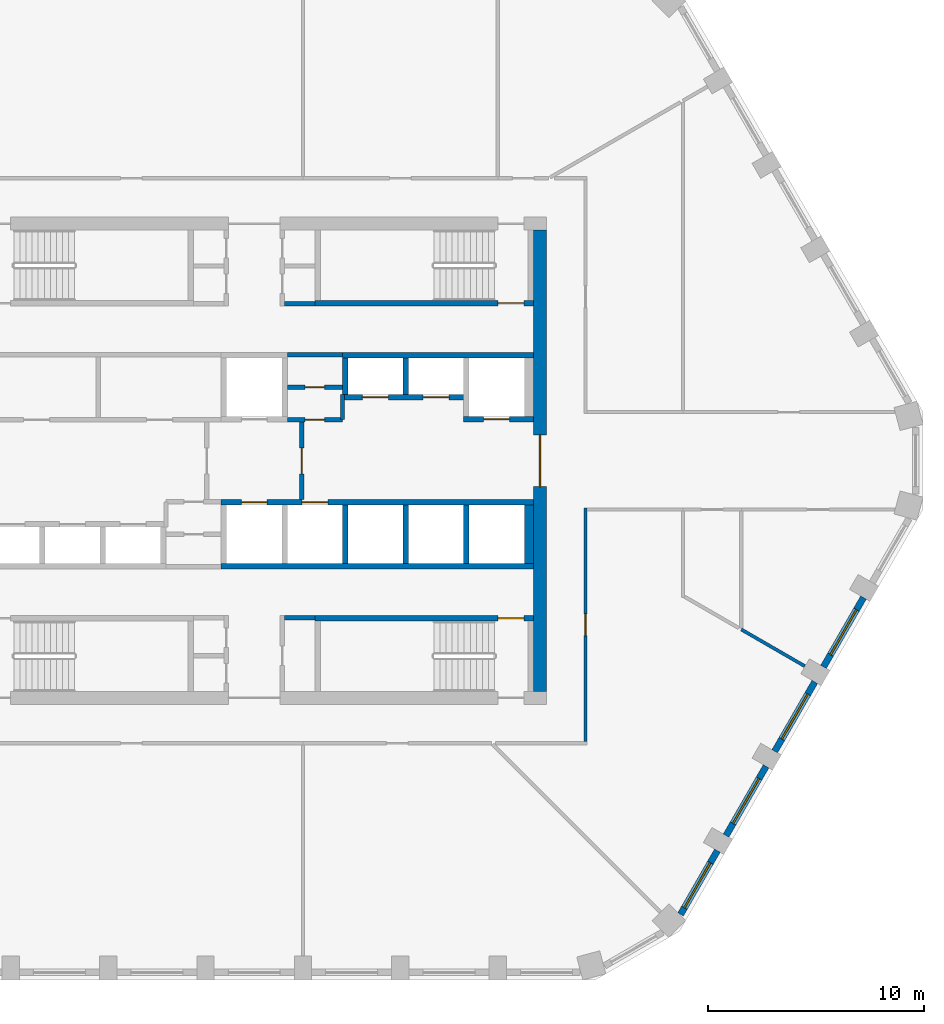
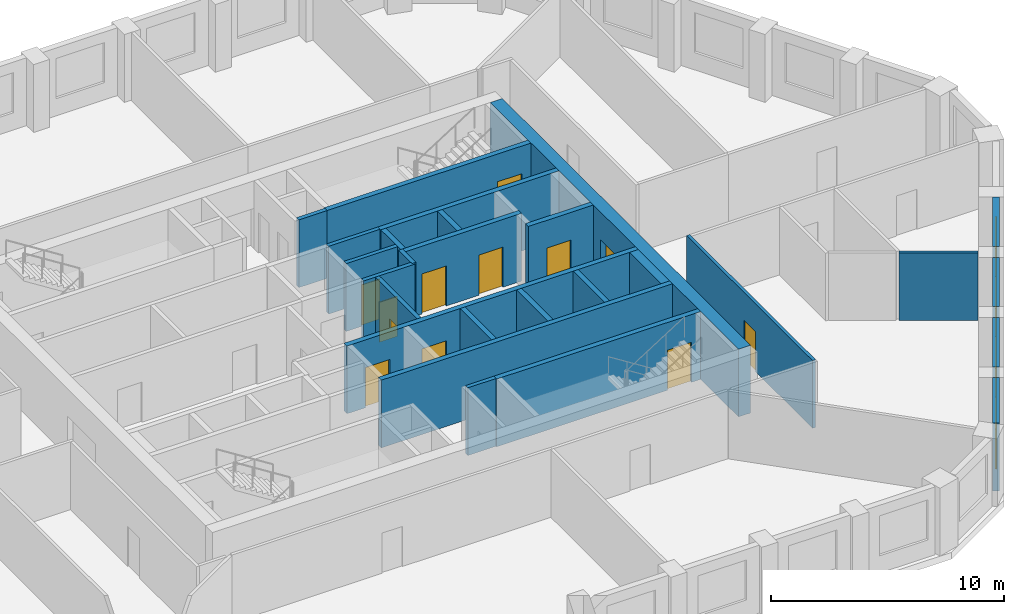
# One storey, part 4 of 8: 27 walls, 12 doors, 4 windows, 16 openings.
"""IFC4 building model written with IfcOpenShell, lengths in metres."""

from ifc_helpers import new_model, si_unit, direction, frame, frame_2d, origin, place, context, subcontext, project, spatial, polyline, rectangle, outline, extrude, material, layer, layer_set, type_object, element, fill, save


model = new_model("IFC4")

# Units and contexts
model_context = context("Model", 3, precision=1e-05, world=origin(), true_north=direction((0.0, 1.0)))
body_context = subcontext(model_context, "Body", "Model", "MODEL_VIEW")
ifc_project = project(units=[si_unit("LENGTHUNIT", "METRE"), si_unit("AREAUNIT", "SQUARE_METRE"), si_unit("VOLUMEUNIT", "CUBIC_METRE"), si_unit("PLANEANGLEUNIT", "RADIAN"), si_unit("MASSUNIT", "GRAM", prefix="KILO")], contexts=[model_context])

# Site, building, storey
site_placement = place(None, origin())
site = spatial("IfcSite", under=ifc_project, at=site_placement, CompositionType="ELEMENT")
building_placement = place(site_placement, origin())
building = spatial("IfcBuilding", under=site, at=building_placement, Name="Dhurran Vertical Campus", CompositionType="ELEMENT")
storey_placement = place(building_placement, frame((0.0, 0.0, 219.0)))
storey = spatial("IfcBuildingStorey", under=building, at=storey_placement, Name="L54", CompositionType="ELEMENT", Elevation=219.0)

# Wall, opening, window
ifc_material_1 = material(Name="Precast concrete C50/60", Category="concrete")
ifc_layer_1 = layer(ifc_material_1, 0.300048828125)
ifc_layer_set_1 = layer_set([ifc_layer_1], Name="Precast concrete C50/60")
wall_type_1 = type_object("IfcWallType", Name="Precast spandrel wall 300", PredefinedType="SOLIDWALL", material=ifc_layer_set_1)
wall_1_placement = place(storey_placement, frame((19.69580078125, -20.951171875, 0.0), z_axis=(0.0, 0.0, 1.0), x_axis=(0.500012868213, 0.866017974191, 0.0)))
wall_1 = element("IfcWall", 1, at=wall_1_placement, inside=storey, type_object=wall_type_1, Name="EW1 L54.08", PredefinedType="SOLIDWALL", context=body_context, shape_type="SweptSolid", body=[
    extrude(rectangle(XDim=3.39599609375, YDim=0.300048828125, at=frame_2d((1.697998046875, 0.0))), origin(), (0.0, 0.0, 1.0), 3.550048828125),
])
opening_1_placement = place(wall_1_placement, frame((0.346435546875, 0.0, 0.89990234375)))
opening_1 = element("IfcOpeningElement", 2, at=opening_1_placement, cuts=wall_1, Name="Opening WT1", PredefinedType="OPENING", context=body_context, shape_type="SweptSolid", body=[
    extrude(rectangle(XDim=2.39990234375, YDim=2.10009765625, at=frame_2d((1.199951171875, 1.050048828125))), frame((0.0, 0.159912109375, 0.0), z_axis=(0.0, -1.0, 0.0), x_axis=(1.0, 0.0, 0.0)), (0.0, 0.0, 1.0), 0.320068359375),
])
ifc_material_2 = material(Name="Aluminium frame with solar-control glass", Category="aluminium")
window_type = type_object("IfcWindowType", Name="Punched window 2400 x 2100", PartitioningType="SINGLE_PANEL", PredefinedType="WINDOW", material=ifc_material_2)
window_1_placement = place(opening_1_placement, origin())
window_1 = element("IfcWindow", 3, at=window_1_placement, inside=storey, type_object=window_type, Name="WT1 L54.08", OverallHeight=2.10009765625, OverallWidth=2.39990234375, PartitioningType="SINGLE_PANEL", PredefinedType="WINDOW", context=body_context, shape_type="SweptSolid", body=[
    extrude(rectangle(XDim=2.39990234375, YDim=2.10009765625, at=frame_2d((1.199951171875, 1.050048828125))), frame((0.0, 0.030029296875, 0.0), z_axis=(0.0, -1.0, 0.0), x_axis=(1.0, 0.0, 0.0)), (0.0, 0.0, 1.0), 0.06005859375),
])
fill(opening_1, window_1)

wall_2_placement = place(storey_placement, frame((21.794189453125, -17.316650390625, 0.0), z_axis=(0.0, 0.0, 1.0), x_axis=(0.500029062817, 0.866008623709, 0.0)))
wall_2 = element("IfcWall", 4, at=wall_2_placement, inside=storey, type_object=wall_type_1, Name="EW1 L54.09", PredefinedType="SOLIDWALL", context=body_context, shape_type="SweptSolid", body=[
    extrude(rectangle(XDim=3.698974609375, YDim=0.300048828125, at=frame_2d((1.849609375, 0.0))), origin(), (0.0, 0.0, 1.0), 3.550048828125),
])
opening_2_placement = place(wall_2_placement, frame((0.6494140625, 0.0, 0.89990234375)))
opening_2 = element("IfcOpeningElement", 5, at=opening_2_placement, cuts=wall_2, Name="Opening WT1", PredefinedType="OPENING", context=body_context, shape_type="SweptSolid", body=[
    extrude(rectangle(XDim=2.39990234375, YDim=2.10009765625, at=frame_2d((1.199951171875, 1.050048828125))), frame((0.0, 0.159912109375, 0.0), z_axis=(0.0, -1.0, 0.0), x_axis=(1.0, 0.0, 0.0)), (0.0, 0.0, 1.0), 0.320068359375),
])
window_2_placement = place(opening_2_placement, origin())
window_2 = element("IfcWindow", 6, at=window_2_placement, inside=storey, type_object=window_type, Name="WT1 L54.09", OverallHeight=2.10009765625, OverallWidth=2.39990234375, PartitioningType="SINGLE_PANEL", PredefinedType="WINDOW", context=body_context, shape_type="SweptSolid", body=[
    extrude(rectangle(XDim=2.39990234375, YDim=2.10009765625, at=frame_2d((1.199951171875, 1.050048828125))), frame((0.0, 0.030029296875, 0.0), z_axis=(0.0, -1.0, 0.0), x_axis=(1.0, 0.0, 0.0)), (0.0, 0.0, 1.0), 0.06005859375),
])
fill(opening_2, window_2)

wall_3_placement = place(storey_placement, frame((24.044189453125, -13.41943359375, 0.0), z_axis=(0.0, 0.0, 1.0), x_axis=(0.500029062817, 0.866008623709, 0.0)))
wall_3 = element("IfcWall", 7, at=wall_3_placement, inside=storey, type_object=wall_type_1, Name="EW1 L54.10", PredefinedType="SOLIDWALL", context=body_context, shape_type="SweptSolid", body=[
    extrude(rectangle(XDim=3.698974609375, YDim=0.300048828125, at=frame_2d((1.849609375, 0.0))), origin(), (0.0, 0.0, 1.0), 3.550048828125),
])
opening_3_placement = place(wall_3_placement, frame((0.6494140625, 0.0, 0.89990234375)))
opening_3 = element("IfcOpeningElement", 8, at=opening_3_placement, cuts=wall_3, Name="Opening WT1", PredefinedType="OPENING", context=body_context, shape_type="SweptSolid", body=[
    extrude(rectangle(XDim=2.39990234375, YDim=2.10009765625, at=frame_2d((1.199951171875, 1.050048828125))), frame((0.0, 0.159912109375, 0.0), z_axis=(0.0, -1.0, 0.0), x_axis=(1.0, 0.0, 0.0)), (0.0, 0.0, 1.0), 0.320068359375),
])
window_3_placement = place(opening_3_placement, origin())
window_3 = element("IfcWindow", 9, at=window_3_placement, inside=storey, type_object=window_type, Name="WT1 L54.10", OverallHeight=2.10009765625, OverallWidth=2.39990234375, PartitioningType="SINGLE_PANEL", PredefinedType="WINDOW", context=body_context, shape_type="SweptSolid", body=[
    extrude(rectangle(XDim=2.39990234375, YDim=2.10009765625, at=frame_2d((1.199951171875, 1.050048828125))), frame((0.0, 0.030029296875, 0.0), z_axis=(0.0, -1.0, 0.0), x_axis=(1.0, 0.0, 0.0)), (0.0, 0.0, 1.0), 0.06005859375),
])
fill(opening_3, window_3)

wall_4_placement = place(storey_placement, frame((26.294189453125, -9.5224609375, 0.0), z_axis=(0.0, 0.0, 1.0), x_axis=(0.500029062817, 0.866008623709, 0.0)))
wall_4 = element("IfcWall", 10, at=wall_4_placement, inside=storey, type_object=wall_type_1, Name="EW1 L54.11", PredefinedType="SOLIDWALL", context=body_context, shape_type="SweptSolid", body=[
    extrude(rectangle(XDim=3.698974609375, YDim=0.300048828125, at=frame_2d((1.849609375, 0.0))), origin(), (0.0, 0.0, 1.0), 3.550048828125),
])
opening_4_placement = place(wall_4_placement, frame((0.6494140625, 0.0, 0.89990234375)))
opening_4 = element("IfcOpeningElement", 11, at=opening_4_placement, cuts=wall_4, Name="Opening WT1", PredefinedType="OPENING", context=body_context, shape_type="SweptSolid", body=[
    extrude(rectangle(XDim=2.39990234375, YDim=2.10009765625, at=frame_2d((1.199951171875, 1.050048828125))), frame((0.0, 0.159912109375, 0.0), z_axis=(0.0, -1.0, 0.0), x_axis=(1.0, 0.0, 0.0)), (0.0, 0.0, 1.0), 0.320068359375),
])
window_4_placement = place(opening_4_placement, origin())
window_4 = element("IfcWindow", 12, at=window_4_placement, inside=storey, type_object=window_type, Name="WT1 L54.11", OverallHeight=2.10009765625, OverallWidth=2.39990234375, PartitioningType="SINGLE_PANEL", PredefinedType="WINDOW", context=body_context, shape_type="SweptSolid", body=[
    extrude(rectangle(XDim=2.39990234375, YDim=2.10009765625, at=frame_2d((1.199951171875, 1.050048828125))), frame((0.0, 0.030029296875, 0.0), z_axis=(0.0, -1.0, 0.0), x_axis=(1.0, 0.0, 0.0)), (0.0, 0.0, 1.0), 0.06005859375),
])
fill(opening_4, window_4)

# Wall, opening, door
ifc_material_3 = material(Name="Concrete C50/60", Category="concrete")
ifc_layer_2 = layer(ifc_material_3, 0.60009765625)
ifc_layer_set_2 = layer_set([ifc_layer_2], Name="Concrete C50/60")
wall_type_2 = type_object("IfcWallType", Name="co-CORE-WALL-C2-600", PredefinedType="SHEAR", material=ifc_layer_set_2)
wall_5_placement = place(storey_placement, frame((13.199951171875, -10.64990234375, 0.0), z_axis=(0.0, 0.0, 1.0), x_axis=(0.0, 1.0, 0.0)))
wall_5 = element("IfcWall", 13, at=wall_5_placement, inside=storey, type_object=wall_type_2, Name="Core wall E L54", PredefinedType="SHEAR", context=body_context, shape_type="SweptSolid", body=[
    extrude(rectangle(XDim=21.2998046875, YDim=0.60009765625, at=frame_2d((10.64990234375, 0.0))), origin(), (0.0, 0.0, 1.0), 3.550048828125),
])
opening_5_placement = place(wall_5_placement, frame((9.449951171875, 0.0, 0.0)))
opening_5 = element("IfcOpeningElement", 14, at=opening_5_placement, cuts=wall_5, Name="Opening CL2", PredefinedType="OPENING", context=body_context, shape_type="SweptSolid", body=[
    extrude(rectangle(XDim=2.39990234375, YDim=2.10009765625, at=frame_2d((1.199951171875, 1.050048828125))), frame((0.0, 0.31005859375, 0.0), z_axis=(0.0, -1.0, 0.0), x_axis=(1.0, 0.0, 0.0)), (0.0, 0.0, 1.0), 0.6201171875),
])
ifc_material_4 = material(Name="Fire-rated glazed door set")
door_type_1 = type_object("IfcDoorType", Name="co-D-LOBBY 2400x2100", OperationType="DOUBLE_DOOR_DOUBLE_SWING", PredefinedType="DOOR", material=ifc_material_4)
door_1_placement = place(opening_5_placement, origin())
door_1 = element("IfcDoor", 15, at=door_1_placement, inside=storey, type_object=door_type_1, Name="Lift lobby door E L54", OperationType="DOUBLE_DOOR_DOUBLE_SWING", OverallHeight=2.10009765625, OverallWidth=2.39990234375, PredefinedType="DOOR", context=body_context, shape_type="SweptSolid", body=[
    extrude(rectangle(XDim=2.39990234375, YDim=2.10009765625, at=frame_2d((1.199951171875, 1.050048828125))), frame((0.0, 0.02490234375, 0.0), z_axis=(0.0, -1.0, 0.0), x_axis=(1.0, 0.0, 0.0)), (0.0, 0.0, 1.0), 0.050048828125),
])
fill(opening_5, door_1)

ifc_material_5 = material(Name="Fire-rated masonry blockwork", Category="masonry")
ifc_layer_3 = layer(ifc_material_5, 0.199951171875)
ifc_layer_set_3 = layer_set([ifc_layer_3], Name="Fire-rated masonry blockwork")
wall_type_3 = type_object("IfcWallType", Name="co-FIRE-PARTITION-200", PredefinedType="PARTITIONING", material=ifc_layer_set_3)
wall_6_placement = place(storey_placement, frame((2.199951171875, -1.800048828125, 0.0), z_axis=(0.0, 0.0, 1.0), x_axis=(0.0, 1.0, 0.0)))
wall_6 = element("IfcWall", 16, at=wall_6_placement, inside=storey, type_object=wall_type_3, Name="Firefighting lobby wall E L54", PredefinedType="PARTITIONING", context=body_context, shape_type="SweptSolid", body=[
    extrude(rectangle(XDim=3.60009765625, YDim=0.199951171875, at=frame_2d((1.800048828125, 0.0))), origin(), (0.0, 0.0, 1.0), 3.550048828125),
])
opening_6_placement = place(wall_6_placement, frame((1.199951171875, 0.0, 0.0)))
opening_6 = element("IfcOpeningElement", 17, at=opening_6_placement, cuts=wall_6, Name="Opening FL2", PredefinedType="OPENING", context=body_context, shape_type="SweptSolid", body=[
    extrude(rectangle(XDim=1.199951171875, YDim=2.10009765625, at=frame_2d((0.60009765625, 1.050048828125))), frame((0.0, 0.10986328125, 0.0), z_axis=(0.0, -1.0, 0.0), x_axis=(1.0, 0.0, 0.0)), (0.0, 0.0, 1.0), 0.219970703125),
])
ifc_material_6 = material(Name="Fire-rated steel door set", Category="steel")
door_type_2 = type_object("IfcDoorType", Name="co-D-FFLOBBY 1200x2100", OperationType="SINGLE_SWING_LEFT", PredefinedType="DOOR", material=ifc_material_6)
door_2_placement = place(opening_6_placement, origin())
door_2 = element("IfcDoor", 18, at=door_2_placement, inside=storey, type_object=door_type_2, Name="Firefighting lobby door E L54", OperationType="SINGLE_SWING_LEFT", OverallHeight=2.10009765625, OverallWidth=1.199951171875, PredefinedType="DOOR", context=body_context, shape_type="SweptSolid", body=[
    extrude(rectangle(XDim=1.199951171875, YDim=2.10009765625, at=frame_2d((0.60009765625, 1.050048828125))), frame((0.0, 0.02490234375, 0.0), z_axis=(0.0, -1.0, 0.0), x_axis=(1.0, 0.0, 0.0)), (0.0, 0.0, 1.0), 0.050048828125),
])
fill(opening_6, door_2)

# Walls
for number, where, z_axis, x_axis, name in (
    (19, (1.39990234375, 7.25, 0.0), (0.0, 0.0, 1.0), (1.0, 0.0, 0.0), "Core partition sl-NE-S L54"),
    (20, (1.39990234375, -7.25, 0.0), (0.0, 0.0, 1.0), (1.0, 0.0, 0.0), "Core partition sl-SE-S L54"),
):
    element("IfcWall", number, at=place(storey_placement, frame(where, z_axis=z_axis, x_axis=x_axis)), inside=storey, type_object=wall_type_3, Name=name, PredefinedType="PARTITIONING", context=body_context, shape_type="SweptSolid", body=[
        extrude(rectangle(XDim=1.400146484375, YDim=0.199951171875, at=frame_2d((0.7001953125, 0.0))), origin(), (0.0, 0.0, 1.0), 3.550048828125),
    ])

# Wall, opening, door
wall_7_placement = place(storey_placement, frame((1.52490234375, 3.39990234375, 0.0), z_axis=(0.0, 0.0, 1.0), x_axis=(1.0, 0.0, 0.0)))
wall_7 = element("IfcWall", 21, at=wall_7_placement, inside=storey, type_object=wall_type_3, Name="Core partition fr-N1-c L54", PredefinedType="PARTITIONING", context=body_context, shape_type="SweptSolid", body=[
    extrude(rectangle(XDim=2.550048828125, YDim=0.199951171875, at=frame_2d((1.27490234375, 0.0))), origin(), (0.0, 0.0, 1.0), 3.550048828125),
])
opening_7_placement = place(wall_7_placement, frame((0.824951171875, 0.0, 0.0)))
opening_7 = element("IfcOpeningElement", 22, at=opening_7_placement, cuts=wall_7, Name="Opening T16-C10", PredefinedType="OPENING", context=body_context, shape_type="SweptSolid", body=[
    extrude(rectangle(XDim=0.89990234375, YDim=2.10009765625, at=frame_2d((0.449951171875, 1.050048828125))), frame((0.0, 0.10986328125, 0.0), z_axis=(0.0, -1.0, 0.0), x_axis=(1.0, 0.0, 0.0)), (0.0, 0.0, 1.0), 0.219970703125),
])
ifc_material_7 = material(Name="Fire-rated timber door set", Category="wood")
door_type_3 = type_object("IfcDoorType", Name="co-D-ROOM 900x2100", OperationType="SINGLE_SWING_LEFT", PredefinedType="DOOR", material=ifc_material_7)
door_3_placement = place(opening_7_placement, origin())
door_3 = element("IfcDoor", 23, at=door_3_placement, inside=storey, type_object=door_type_3, Name="Plant room door L54", OperationType="SINGLE_SWING_LEFT", OverallHeight=2.10009765625, OverallWidth=0.89990234375, PredefinedType="DOOR", context=body_context, shape_type="SweptSolid", body=[
    extrude(rectangle(XDim=0.89990234375, YDim=2.10009765625, at=frame_2d((0.449951171875, 1.050048828125))), frame((0.0, 0.02490234375, 0.0), z_axis=(0.0, -1.0, 0.0), x_axis=(1.0, 0.0, 0.0)), (0.0, 0.0, 1.0), 0.050048828125),
])
fill(opening_7, door_3)

wall_8_placement = place(storey_placement, frame((1.52490234375, 1.89990234375, 0.0), z_axis=(0.0, 0.0, 1.0), x_axis=(1.0, 0.0, 0.0)))
wall_8 = element("IfcWall", 24, at=wall_8_placement, inside=storey, type_object=wall_type_3, Name="Core partition fr-N1-f L54", PredefinedType="PARTITIONING", context=body_context, shape_type="SweptSolid", body=[
    extrude(rectangle(XDim=2.550048828125, YDim=0.199951171875, at=frame_2d((1.27490234375, 0.0))), origin(), (0.0, 0.0, 1.0), 3.550048828125),
])
opening_8_placement = place(wall_8_placement, frame((0.824951171875, 0.0, 0.0)))
opening_8 = element("IfcOpeningElement", 25, at=opening_8_placement, cuts=wall_8, Name="Opening T16-C11", PredefinedType="OPENING", context=body_context, shape_type="SweptSolid", body=[
    extrude(rectangle(XDim=0.89990234375, YDim=2.10009765625, at=frame_2d((0.449951171875, 1.050048828125))), frame((0.0, 0.10986328125, 0.0), z_axis=(0.0, -1.0, 0.0), x_axis=(1.0, 0.0, 0.0)), (0.0, 0.0, 1.0), 0.219970703125),
])
door_4_placement = place(opening_8_placement, origin())
door_4 = element("IfcDoor", 26, at=door_4_placement, inside=storey, type_object=door_type_3, Name="Server room door L54", OperationType="SINGLE_SWING_LEFT", OverallHeight=2.10009765625, OverallWidth=0.89990234375, PredefinedType="DOOR", context=body_context, shape_type="SweptSolid", body=[
    extrude(rectangle(XDim=0.89990234375, YDim=2.10009765625, at=frame_2d((0.449951171875, 1.050048828125))), frame((0.0, 0.02490234375, 0.0), z_axis=(0.0, -1.0, 0.0), x_axis=(1.0, 0.0, 0.0)), (0.0, 0.0, 1.0), 0.050048828125),
])
fill(opening_8, door_4)

# Walls
wall_9_placement = place(storey_placement, frame((1.52490234375, 4.89990234375, 0.0), z_axis=(0.0, 0.0, 1.0), x_axis=(1.0, 0.0, 0.0)))
element("IfcWall", 27, at=wall_9_placement, inside=storey, type_object=wall_type_3, Name="Core partition fr-N1-b L54", PredefinedType="PARTITIONING", context=body_context, shape_type="SweptSolid", body=[
    extrude(rectangle(XDim=2.550048828125, YDim=0.199951171875, at=frame_2d((1.27490234375, 0.0))), origin(), (0.0, 0.0, 1.0), 3.550048828125),
])
wall_10_placement = place(storey_placement, frame((4.074951171875, 1.89990234375, 0.0), z_axis=(0.0, 0.0, 1.0), x_axis=(0.0, 1.0, 0.0)))
element("IfcWall", 28, at=wall_10_placement, inside=storey, type_object=wall_type_3, Name="Core partition fr-N1-n1 L54", PredefinedType="PARTITIONING", context=body_context, shape_type="SweptSolid", body=[
    extrude(rectangle(XDim=1.150146484375, YDim=0.199951171875, at=frame_2d((0.5751953125, 0.0))), origin(), (0.0, 0.0, 1.0), 3.550048828125),
])

# Wall, openings, doors
ifc_material_8 = material(Name="Concrete C50/60", Category="concrete")
ifc_layer_4 = layer(ifc_material_8, 0.25)
ifc_layer_set_4 = layer_set([ifc_layer_4], Name="Concrete C50/60")
wall_type_4 = type_object("IfcWallType", Name="co-SHAFT-FRONT-250", PredefinedType="SHEAR", material=ifc_layer_set_4)
wall_11_placement = place(storey_placement, frame((4.074951171875, 2.925048828125, 0.0), z_axis=(0.0, 0.0, 1.0), x_axis=(1.0, 0.0, 0.0)))
wall_11 = element("IfcWall", 29, at=wall_11_placement, inside=storey, type_object=wall_type_4, Name="Lift landing wall N L54", PredefinedType="SHEAR", context=body_context, shape_type="SweptSolid", body=[
    extrude(rectangle(XDim=5.85009765625, YDim=0.25, at=frame_2d((2.925048828125, 0.0))), origin(), (0.0, 0.0, 1.0), 3.550048828125),
])
opening_9_placement = place(wall_11_placement, frame((0.925048828125, 0.0, 0.0)))
opening_9 = element("IfcOpeningElement", 30, at=opening_9_placement, cuts=wall_11, Name="Opening LD", PredefinedType="OPENING", context=body_context, shape_type="SweptSolid", body=[
    extrude(rectangle(XDim=1.199951171875, YDim=2.10009765625, at=frame_2d((0.60009765625, 1.050048828125))), frame((0.0, 0.135009765625, 0.0), z_axis=(0.0, -1.0, 0.0), x_axis=(1.0, 0.0, 0.0)), (0.0, 0.0, 1.0), 0.27001953125),
])
opening_10_placement = place(wall_11_placement, frame((3.72509765625, 0.0, 0.0)))
opening_10 = element("IfcOpeningElement", 31, at=opening_10_placement, cuts=wall_11, Name="Opening LD", PredefinedType="OPENING", context=body_context, shape_type="SweptSolid", body=[
    extrude(rectangle(XDim=1.199951171875, YDim=2.10009765625, at=frame_2d((0.60009765625, 1.050048828125))), frame((0.0, 0.135009765625, 0.0), z_axis=(0.0, -1.0, 0.0), x_axis=(1.0, 0.0, 0.0)), (0.0, 0.0, 1.0), 0.27001953125),
])
ifc_material_9 = material(Name="Stainless steel landing door", Category="steel")
door_type_4 = type_object("IfcDoorType", Name="co-D-LANDING 1200x2100", OperationType="DOUBLE_DOOR_SLIDING", PredefinedType="DOOR", material=ifc_material_9)
door_5_placement = place(opening_9_placement, origin())
door_5 = element("IfcDoor", 32, at=door_5_placement, inside=storey, type_object=door_type_4, Name="Landing door MR1 L54", OperationType="DOUBLE_DOOR_SLIDING", OverallHeight=2.10009765625, OverallWidth=1.199951171875, PredefinedType="DOOR", context=body_context, shape_type="SweptSolid", body=[
    extrude(rectangle(XDim=1.199951171875, YDim=2.10009765625, at=frame_2d((0.60009765625, 1.050048828125))), frame((0.0, 0.02490234375, 0.0), z_axis=(0.0, -1.0, 0.0), x_axis=(1.0, 0.0, 0.0)), (0.0, 0.0, 1.0), 0.050048828125),
])
fill(opening_9, door_5)
door_6_placement = place(opening_10_placement, origin())
door_6 = element("IfcDoor", 33, at=door_6_placement, inside=storey, type_object=door_type_4, Name="Landing door MR2 L54", OperationType="DOUBLE_DOOR_SLIDING", OverallHeight=2.10009765625, OverallWidth=1.199951171875, PredefinedType="DOOR", context=body_context, shape_type="SweptSolid", body=[
    extrude(rectangle(XDim=1.199951171875, YDim=2.10009765625, at=frame_2d((0.60009765625, 1.050048828125))), frame((0.0, 0.02490234375, 0.0), z_axis=(0.0, -1.0, 0.0), x_axis=(1.0, 0.0, 0.0)), (0.0, 0.0, 1.0), 0.050048828125),
])
fill(opening_10, door_6)

# Wall, opening, door
wall_12_placement = place(storey_placement, frame((9.675048828125, 1.925048828125, 0.0), z_axis=(0.0, 0.0, 1.0), x_axis=(1.0, 0.0, 0.0)))
wall_12 = element("IfcWall", 34, at=wall_12_placement, inside=storey, type_object=wall_type_4, Name="Lift landing wall N L54", PredefinedType="SHEAR", context=body_context, shape_type="SweptSolid", body=[
    extrude(rectangle(XDim=3.224853515625, YDim=0.25, at=frame_2d((1.6123046875, 0.0))), origin(), (0.0, 0.0, 1.0), 3.550048828125),
])
opening_11_placement = place(wall_12_placement, frame((0.925048828125, 0.0, 0.0)))
opening_11 = element("IfcOpeningElement", 35, at=opening_11_placement, cuts=wall_12, Name="Opening LD", PredefinedType="OPENING", context=body_context, shape_type="SweptSolid", body=[
    extrude(rectangle(XDim=1.199951171875, YDim=2.10009765625, at=frame_2d((0.60009765625, 1.050048828125))), frame((0.0, 0.135009765625, 0.0), z_axis=(0.0, -1.0, 0.0), x_axis=(1.0, 0.0, 0.0)), (0.0, 0.0, 1.0), 0.27001953125),
])
door_7_placement = place(opening_11_placement, origin())
door_7 = element("IfcDoor", 36, at=door_7_placement, inside=storey, type_object=door_type_4, Name="Landing door SV2 L54", OperationType="DOUBLE_DOOR_SLIDING", OverallHeight=2.10009765625, OverallWidth=1.199951171875, PredefinedType="DOOR", context=body_context, shape_type="SweptSolid", body=[
    extrude(rectangle(XDim=1.199951171875, YDim=2.10009765625, at=frame_2d((0.60009765625, 1.050048828125))), frame((0.0, 0.02490234375, 0.0), z_axis=(0.0, -1.0, 0.0), x_axis=(1.0, 0.0, 0.0)), (0.0, 0.0, 1.0), 0.050048828125),
])
fill(opening_11, door_7)

# Wall, openings, doors
wall_13_placement = place(storey_placement, frame((-1.52490234375, -1.925048828125, 0.0), z_axis=(0.0, 0.0, 1.0), x_axis=(1.0, 0.0, 0.0)))
wall_13 = element("IfcWall", 37, at=wall_13_placement, inside=storey, type_object=wall_type_4, Name="Lift landing wall S L54", PredefinedType="SHEAR", context=body_context, shape_type="SweptSolid", body=[
    extrude(rectangle(XDim=14.4248046875, YDim=0.25, at=frame_2d((7.21240234375, 0.0))), origin(), (0.0, 0.0, 1.0), 3.550048828125),
])
opening_12_placement = place(wall_13_placement, frame((0.925048828125, 0.0, 0.0)))
opening_12 = element("IfcOpeningElement", 38, at=opening_12_placement, cuts=wall_13, Name="Opening LD", PredefinedType="OPENING", context=body_context, shape_type="SweptSolid", body=[
    extrude(rectangle(XDim=1.199951171875, YDim=2.10009765625, at=frame_2d((0.60009765625, 1.050048828125))), frame((0.0, 0.135009765625, 0.0), z_axis=(0.0, -1.0, 0.0), x_axis=(1.0, 0.0, 0.0)), (0.0, 0.0, 1.0), 0.27001953125),
])
opening_13_placement = place(wall_13_placement, frame((3.72509765625, 0.0, 0.0)))
opening_13 = element("IfcOpeningElement", 39, at=opening_13_placement, cuts=wall_13, Name="Opening LD", PredefinedType="OPENING", context=body_context, shape_type="SweptSolid", body=[
    extrude(rectangle(XDim=1.199951171875, YDim=2.10009765625, at=frame_2d((0.60009765625, 1.050048828125))), frame((0.0, 0.135009765625, 0.0), z_axis=(0.0, -1.0, 0.0), x_axis=(1.0, 0.0, 0.0)), (0.0, 0.0, 1.0), 0.27001953125),
])
door_8_placement = place(opening_12_placement, origin())
door_8 = element("IfcDoor", 40, at=door_8_placement, inside=storey, type_object=door_type_4, Name="Landing door FF2 L54", OperationType="DOUBLE_DOOR_SLIDING", OverallHeight=2.10009765625, OverallWidth=1.199951171875, PredefinedType="DOOR", context=body_context, shape_type="SweptSolid", body=[
    extrude(rectangle(XDim=1.199951171875, YDim=2.10009765625, at=frame_2d((0.60009765625, 1.050048828125))), frame((0.0, 0.02490234375, 0.0), z_axis=(0.0, -1.0, 0.0), x_axis=(1.0, 0.0, 0.0)), (0.0, 0.0, 1.0), 0.050048828125),
])
fill(opening_12, door_8)
door_9_placement = place(opening_13_placement, origin())
door_9 = element("IfcDoor", 41, at=door_9_placement, inside=storey, type_object=door_type_4, Name="Landing door SV1 L54", OperationType="DOUBLE_DOOR_SLIDING", OverallHeight=2.10009765625, OverallWidth=1.199951171875, PredefinedType="DOOR", context=body_context, shape_type="SweptSolid", body=[
    extrude(rectangle(XDim=1.199951171875, YDim=2.10009765625, at=frame_2d((0.60009765625, 1.050048828125))), frame((0.0, 0.02490234375, 0.0), z_axis=(0.0, -1.0, 0.0), x_axis=(1.0, 0.0, 0.0)), (0.0, 0.0, 1.0), 0.050048828125),
])
fill(opening_13, door_9)

# Walls
ifc_material_10 = material(Name="Concrete C50/60", Category="concrete")
ifc_layer_5 = layer(ifc_material_10, 0.25)
ifc_layer_set_5 = layer_set([ifc_layer_5], Name="Concrete C50/60")
wall_type_5 = type_object("IfcWallType", Name="co-SHAFT-MASS-250", PredefinedType="SHEAR", material=ifc_layer_set_5)
wall_14_placement = place(storey_placement, origin())
element("IfcWall", 42, at=wall_14_placement, inside=storey, type_object=wall_type_5, Name="Lift shaft wall N L54 2", PredefinedType="SHEAR", context=body_context, shape_type="SweptSolid", body=[
    extrude(outline(polyline([(4.074951171875, 4.75), (12.89990234375, 4.75), (12.89990234375, 5.0), (4.074951171875, 5.0), (4.074951171875, 4.75)])), origin(), (0.0, 0.0, 1.0), 3.550048828125),
])
wall_15_placement = place(storey_placement, origin())
element("IfcWall", 43, at=wall_15_placement, inside=storey, type_object=wall_type_5, Name="Lift shaft wall N L54 7", PredefinedType="SHEAR", context=body_context, shape_type="SweptSolid", body=[
    extrude(outline(polyline([(4.074951171875, 3.050048828125), (4.324951171875, 3.050048828125), (4.324951171875, 4.75), (4.074951171875, 4.75), (4.074951171875, 3.050048828125)])), origin(), (0.0, 0.0, 1.0), 3.550048828125),
])
wall_16_placement = place(storey_placement, origin())
element("IfcWall", 44, at=wall_16_placement, inside=storey, type_object=wall_type_5, Name="Lift shaft wall N L54 8", PredefinedType="SHEAR", context=body_context, shape_type="SweptSolid", body=[
    extrude(outline(polyline([(6.875, 3.050048828125), (7.125, 3.050048828125), (7.125, 4.75), (6.875, 4.75), (6.875, 3.050048828125)])), origin(), (0.0, 0.0, 1.0), 3.550048828125),
])
wall_17_placement = place(storey_placement, origin())
element("IfcWall", 45, at=wall_17_placement, inside=storey, type_object=wall_type_5, Name="Lift shaft wall S L54 2", PredefinedType="SHEAR", context=body_context, shape_type="SweptSolid", body=[
    extrude(outline(polyline([(-1.52490234375, -5.0), (12.89990234375, -5.0), (12.89990234375, -4.75), (-1.52490234375, -4.75), (-1.52490234375, -5.0)])), origin(), (0.0, 0.0, 1.0), 3.550048828125),
])
wall_18_placement = place(storey_placement, origin())
element("IfcWall", 46, at=wall_18_placement, inside=storey, type_object=wall_type_5, Name="Lift shaft wall S L54 9", PredefinedType="SHEAR", context=body_context, shape_type="SweptSolid", body=[
    extrude(outline(polyline([(4.074951171875, -4.75), (4.324951171875, -4.75), (4.324951171875, -2.050048828125), (4.074951171875, -2.050048828125), (4.074951171875, -4.75)])), origin(), (0.0, 0.0, 1.0), 3.550048828125),
])
wall_19_placement = place(storey_placement, origin())
element("IfcWall", 47, at=wall_19_placement, inside=storey, type_object=wall_type_5, Name="Lift shaft wall S L54 10", PredefinedType="SHEAR", context=body_context, shape_type="SweptSolid", body=[
    extrude(outline(polyline([(6.875, -4.75), (7.125, -4.75), (7.125, -2.050048828125), (6.875, -2.050048828125), (6.875, -4.75)])), origin(), (0.0, 0.0, 1.0), 3.550048828125),
])
wall_20_placement = place(storey_placement, origin())
element("IfcWall", 48, at=wall_20_placement, inside=storey, type_object=wall_type_5, Name="Lift shaft wall S L54 11", PredefinedType="SHEAR", context=body_context, shape_type="SweptSolid", body=[
    extrude(outline(polyline([(9.675048828125, -4.75), (9.925048828125, -4.75), (9.925048828125, -2.050048828125), (9.675048828125, -2.050048828125), (9.675048828125, -4.75)])), origin(), (0.0, 0.0, 1.0), 3.550048828125),
])
wall_21_placement = place(storey_placement, origin())
element("IfcWall", 49, at=wall_21_placement, inside=storey, type_object=wall_type_5, Name="Lift shaft wall S L54 12", PredefinedType="SHEAR", context=body_context, shape_type="SweptSolid", body=[
    extrude(outline(polyline([(12.47509765625, -4.75), (12.89990234375, -4.75), (12.89990234375, -2.050048828125), (12.47509765625, -2.050048828125), (12.47509765625, -4.75)])), origin(), (0.0, 0.0, 1.0), 3.550048828125),
])

# Wall, opening, door
ifc_material_11 = material(Name="Concrete C40/50", Category="concrete")
ifc_layer_6 = layer(ifc_material_11, 0.25)
ifc_layer_set_6 = layer_set([ifc_layer_6], Name="Concrete C40/50")
wall_type_6 = type_object("IfcWallType", Name="co-STAIR-WALL-250", PredefinedType="SHEAR", material=ifc_layer_set_6)
wall_22_placement = place(storey_placement, frame((2.800048828125, 7.27490234375, 0.0), z_axis=(0.0, 0.0, 1.0), x_axis=(1.0, 0.0, 0.0)))
wall_22 = element("IfcWall", 50, at=wall_22_placement, inside=storey, type_object=wall_type_6, Name="Stair ST2 enclosure wall L54", PredefinedType="SHEAR", context=body_context, shape_type="SweptSolid", body=[
    extrude(rectangle(XDim=10.099853515625, YDim=0.25, at=frame_2d((5.0498046875, 0.0))), origin(), (0.0, 0.0, 1.0), 3.550048828125),
])
opening_14_placement = place(wall_22_placement, frame((8.449951171875, 0.0, 0.0)))
opening_14 = element("IfcOpeningElement", 51, at=opening_14_placement, cuts=wall_22, Name="Opening SD2", PredefinedType="OPENING", context=body_context, shape_type="SweptSolid", body=[
    extrude(rectangle(XDim=1.199951171875, YDim=2.10009765625, at=frame_2d((0.60009765625, 1.050048828125))), frame((0.0, 0.135009765625, 0.0), z_axis=(0.0, -1.0, 0.0), x_axis=(1.0, 0.0, 0.0)), (0.0, 0.0, 1.0), 0.27001953125),
])
ifc_material_12 = material(Name="Fire-rated steel door set", Category="steel")
door_type_5 = type_object("IfcDoorType", Name="co-D-STAIR 1200x2100", OperationType="SINGLE_SWING_LEFT", PredefinedType="DOOR", material=ifc_material_12)
door_10_placement = place(opening_14_placement, origin())
door_10 = element("IfcDoor", 52, at=door_10_placement, inside=storey, type_object=door_type_5, Name="Stair ST2 door L54", OperationType="SINGLE_SWING_LEFT", OverallHeight=2.10009765625, OverallWidth=1.199951171875, PredefinedType="DOOR", context=body_context, shape_type="SweptSolid", body=[
    extrude(rectangle(XDim=1.199951171875, YDim=2.10009765625, at=frame_2d((0.60009765625, 1.050048828125))), frame((0.0, 0.02490234375, 0.0), z_axis=(0.0, -1.0, 0.0), x_axis=(1.0, 0.0, 0.0)), (0.0, 0.0, 1.0), 0.050048828125),
])
fill(opening_14, door_10)

wall_23_placement = place(storey_placement, frame((2.800048828125, -7.27490234375, 0.0), z_axis=(0.0, 0.0, 1.0), x_axis=(1.0, 0.0, 0.0)))
wall_23 = element("IfcWall", 53, at=wall_23_placement, inside=storey, type_object=wall_type_6, Name="Stair ST4 enclosure wall L54", PredefinedType="SHEAR", context=body_context, shape_type="SweptSolid", body=[
    extrude(rectangle(XDim=10.099853515625, YDim=0.25, at=frame_2d((5.0498046875, 0.0))), origin(), (0.0, 0.0, 1.0), 3.550048828125),
])
opening_15_placement = place(wall_23_placement, frame((8.449951171875, 0.0, 0.0)))
opening_15 = element("IfcOpeningElement", 54, at=opening_15_placement, cuts=wall_23, Name="Opening SD4", PredefinedType="OPENING", context=body_context, shape_type="SweptSolid", body=[
    extrude(rectangle(XDim=1.199951171875, YDim=2.10009765625, at=frame_2d((0.60009765625, 1.050048828125))), frame((0.0, 0.135009765625, 0.0), z_axis=(0.0, -1.0, 0.0), x_axis=(1.0, 0.0, 0.0)), (0.0, 0.0, 1.0), 0.27001953125),
])
door_11_placement = place(opening_15_placement, origin())
door_11 = element("IfcDoor", 55, at=door_11_placement, inside=storey, type_object=door_type_5, Name="Stair ST4 door L54", OperationType="SINGLE_SWING_LEFT", OverallHeight=2.10009765625, OverallWidth=1.199951171875, PredefinedType="DOOR", context=body_context, shape_type="SweptSolid", body=[
    extrude(rectangle(XDim=1.199951171875, YDim=2.10009765625, at=frame_2d((0.60009765625, 1.050048828125))), frame((0.0, 0.02490234375, 0.0), z_axis=(0.0, -1.0, 0.0), x_axis=(1.0, 0.0, 0.0)), (0.0, 0.0, 1.0), 0.050048828125),
])
fill(opening_15, door_11)

ifc_material_13 = material(Name="Gypsum board corridor wall on steel studs", Category="steel")
ifc_layer_7 = layer(ifc_material_13, 0.14990234375)
ifc_layer_set_7 = layer_set([ifc_layer_7], Name="Gypsum board corridor wall on steel studs")
wall_type_7 = type_object("IfcWallType", Name="fl-CW-150 corridor wall", PredefinedType="PARTITIONING", material=ifc_layer_set_7)
wall_24_placement = place(storey_placement, frame((15.300048828125, -12.97509765625, 0.0), z_axis=(0.0, 0.0, 1.0), x_axis=(0.0, 1.0, 0.0)))
wall_24 = element("IfcWall", 56, at=wall_24_placement, inside=storey, type_object=wall_type_7, Name="Partition 54-27", PredefinedType="PARTITIONING", context=body_context, shape_type="SweptSolid", body=[
    extrude(rectangle(XDim=10.800048828125, YDim=0.14990234375, at=frame_2d((5.39990234375, 0.0))), origin(), (0.0, 0.0, 1.0), 3.550048828125),
])
opening_16_placement = place(wall_24_placement, frame((4.89990234375, 0.0, 0.0)))
opening_16 = element("IfcOpeningElement", 57, at=opening_16_placement, cuts=wall_24, Name="Opening T16.11", PredefinedType="OPENING", context=body_context, shape_type="SweptSolid", body=[
    extrude(rectangle(XDim=1.0, YDim=2.10009765625, at=frame_2d((0.5, 1.050048828125))), frame((0.0, 0.0849609375, 0.0), z_axis=(0.0, -1.0, 0.0), x_axis=(1.0, 0.0, 0.0)), (0.0, 0.0, 1.0), 0.169921875),
])
ifc_material_14 = material(Name="Solid-core timber door set, fire-rated", Category="wood")
door_type_6 = type_object("IfcDoorType", Name="fl-D-1000x2100", OperationType="SINGLE_SWING_LEFT", PredefinedType="DOOR", material=ifc_material_14)
door_12_placement = place(opening_16_placement, origin())
door_12 = element("IfcDoor", 58, at=door_12_placement, inside=storey, type_object=door_type_6, Name="Door 54.11", OperationType="SINGLE_SWING_RIGHT", OverallHeight=2.10009765625, OverallWidth=1.0, PredefinedType="DOOR", context=body_context, shape_type="SweptSolid", body=[
    extrude(rectangle(XDim=1.0, YDim=2.10009765625, at=frame_2d((0.5, 1.050048828125))), frame((0.0, 0.02490234375, 0.0), z_axis=(0.0, -1.0, 0.0), x_axis=(1.0, 0.0, 0.0)), (0.0, 0.0, 1.0), 0.050048828125),
])
fill(opening_16, door_12)

# Wall
ifc_material_15 = material(Name="Gypsum board partition on steel studs", Category="steel")
ifc_layer_8 = layer(ifc_material_15, 0.14990234375)
ifc_layer_set_8 = layer_set([ifc_layer_8], Name="Gypsum board partition on steel studs")
wall_type_8 = type_object("IfcWallType", Name="fl-PW-150 fixed partition", PredefinedType="PARTITIONING", material=ifc_layer_set_8)
wall_25_placement = place(storey_placement, frame((22.5, -7.7939453125, 0.0), z_axis=(0.0, 0.0, 1.0), x_axis=(0.866007567725, -0.50003089169, 0.0)))
element("IfcWall", 59, at=wall_25_placement, inside=storey, type_object=wall_type_8, Name="Partition 54-38", PredefinedType="PARTITIONING", context=body_context, shape_type="SweptSolid", body=[
    extrude(rectangle(XDim=3.380126953125, YDim=0.14990234375, at=frame_2d((1.68994140625, 0.0))), origin(), (0.0, 0.0, 1.0), 3.550048828125),
])

save(model, "model.ifc")
